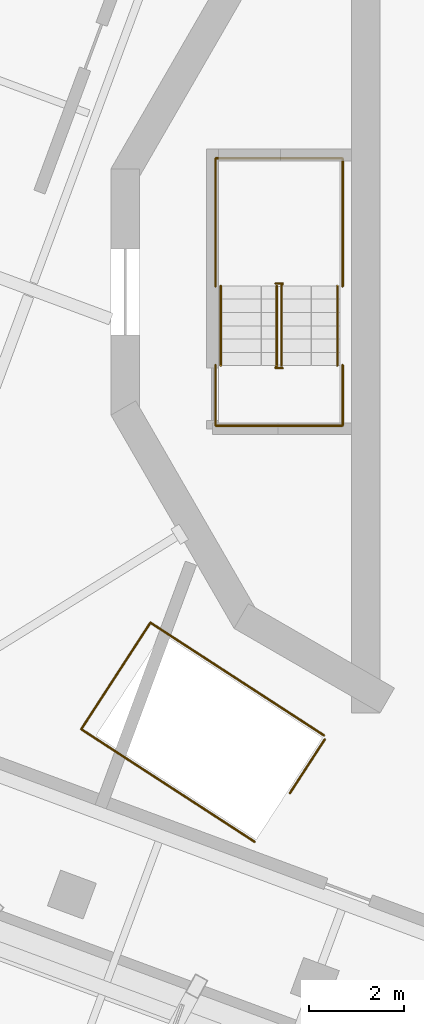
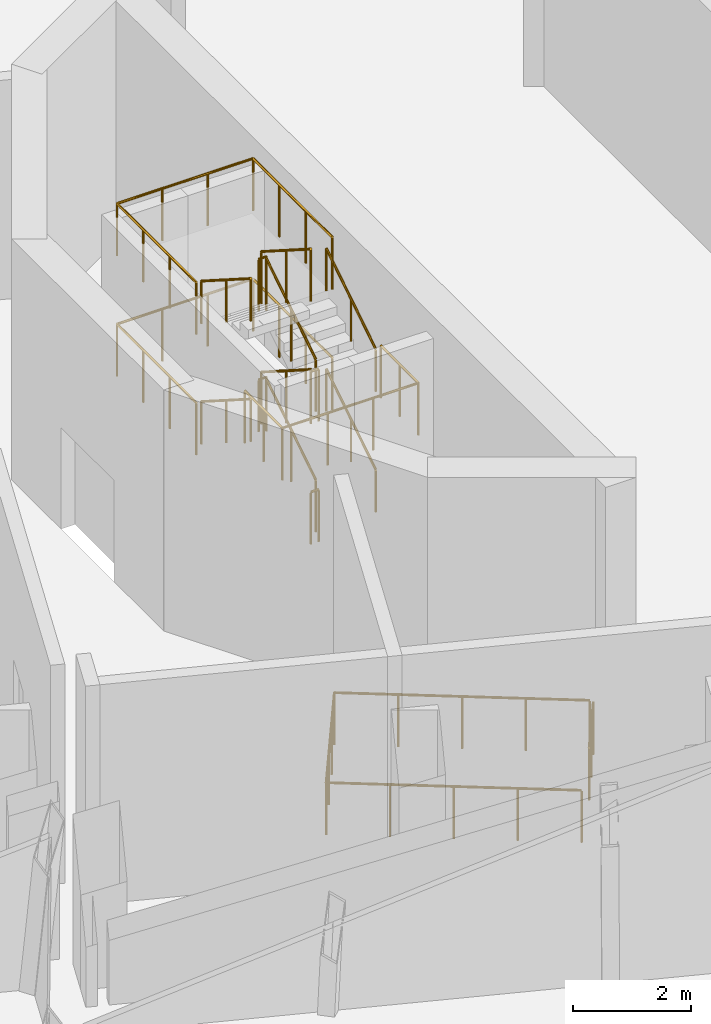
# One storey, part 10 of 12: 14 railings.
"""IFC4 building model written with IfcOpenShell, lengths in metres."""

from ifc_helpers import new_model, si_unit, direction, frame, origin, origin_2d, place, context, subcontext, project, spatial, circle, extrude, material, type_object, element, save


model = new_model("IFC4")

# Units and contexts
model_context = context("Model", 3, precision=1e-05, world=origin(), true_north=direction((0.0, 1.0)))
body_context = subcontext(model_context, "Body", "Model", "MODEL_VIEW")
ifc_project = project(units=[si_unit("LENGTHUNIT", "METRE"), si_unit("AREAUNIT", "SQUARE_METRE"), si_unit("VOLUMEUNIT", "CUBIC_METRE"), si_unit("PLANEANGLEUNIT", "RADIAN"), si_unit("MASSUNIT", "GRAM", prefix="KILO")], contexts=[model_context])

# Site, building, storey
site_placement = place(None, origin())
site = spatial("IfcSite", under=ifc_project, at=site_placement, CompositionType="ELEMENT")
building_placement = place(site_placement, origin())
building = spatial("IfcBuilding", under=site, at=building_placement, Name="Cantera Rosa Tower", CompositionType="ELEMENT")
storey_placement = place(building_placement, frame((0.0, 0.0, 345.699951171875)))
storey = spatial("IfcBuildingStorey", under=building, at=storey_placement, Name="L78", CompositionType="ELEMENT", Elevation=345.699951171875)

# Railings
ifc_material_1 = material(Name="Steel S355J2 (EN 10025-2)", Category="steel")
railing_type_1 = type_object("IfcRailingType", Name="STAIR GUARD 1100", PredefinedType="GUARDRAIL", material=ifc_material_1)
railing_1_placement = place(storey_placement, frame((-5.163818359375, -9.402099609375, 0.0)))
element("IfcRailing", 1, at=railing_1_placement, inside=storey, type_object=railing_type_1, Name="L78 ST-64 top well guard 1", PredefinedType="GUARDRAIL", context=body_context, shape_type="SweptSolid", body=[
    extrude(circle(Radius=0.02392578125, at=origin_2d()), frame((0.0, 0.0, 1.076171875), z_axis=(-0.544517882672, -0.838749232757, 0.0), x_axis=(0.838749232757, -0.544517882672, 0.0)), (0.0, 0.0, 1.0), 1.35009765625),
    extrude(circle(Radius=0.02099609375, at=origin_2d()), origin(), (0.0, 0.0, 1.0), 1.052001953125),
    extrude(circle(Radius=0.02099609375, at=origin_2d()), frame((-0.36767578125, -0.566162109375, 0.0)), (0.0, 0.0, 1.0), 1.052001953125),
    extrude(circle(Radius=0.02099609375, at=origin_2d()), frame((-0.735107421875, -1.13232421875, 0.0)), (0.0, 0.0, 1.0), 1.052001953125),
])
railing_2_placement = place(storey_placement, frame((-5.18310546875, -9.318115234375, 0.0)))
element("IfcRailing", 2, at=railing_2_placement, inside=storey, type_object=railing_type_1, Name="L78 ST-64 top well guard 2", PredefinedType="GUARDRAIL", context=body_context, shape_type="SweptSolid", body=[
    extrude(circle(Radius=0.02392578125, at=origin_2d()), frame((0.0, 0.0, 1.076171875), z_axis=(-0.838659072691, 0.544656735746, 0.0), x_axis=(-0.544656735746, -0.838659072691, 0.0)), (0.0, 0.0, 1.0), 4.347900390625),
    extrude(circle(Radius=0.02392578125, at=origin_2d()), frame((-3.646484375, 2.3681640625, 1.076171875), z_axis=(-0.544615466587, -0.838685872991, 0.0), x_axis=(0.838685872991, -0.544615466587, 0.0)), (0.0, 0.0, 1.0), 2.669921875),
    extrude(circle(Radius=0.02392578125, at=origin_2d()), frame((-5.1005859375, 0.12890625, 1.076171875), z_axis=(0.838659072691, -0.544656735746, 0.0), x_axis=(0.544656735746, 0.838659072691, 0.0)), (0.0, 0.0, 1.0), 4.347900390625),
    extrude(circle(Radius=0.02099609375, at=origin_2d()), origin(), (0.0, 0.0, 1.0), 1.052001953125),
    extrude(circle(Radius=0.02099609375, at=origin_2d()), frame((-0.91162109375, 0.592041015625, 0.0)), (0.0, 0.0, 1.0), 1.052001953125),
    extrude(circle(Radius=0.02099609375, at=origin_2d()), frame((-1.8232421875, 1.18408203125, 0.0)), (0.0, 0.0, 1.0), 1.052001953125),
    extrude(circle(Radius=0.02099609375, at=origin_2d()), frame((-2.73486328125, 1.776123046875, 0.0)), (0.0, 0.0, 1.0), 1.052001953125),
    extrude(circle(Radius=0.02099609375, at=origin_2d()), frame((-3.646484375, 2.3681640625, 0.0)), (0.0, 0.0, 1.0), 1.052001953125),
    extrude(circle(Radius=0.02099609375, at=origin_2d()), frame((-4.131103515625, 1.621826171875, 0.0)), (0.0, 0.0, 1.0), 1.052001953125),
    extrude(circle(Radius=0.02099609375, at=origin_2d()), frame((-4.615966796875, 0.875244140625, 0.0)), (0.0, 0.0, 1.0), 1.052001953125),
    extrude(circle(Radius=0.02099609375, at=origin_2d()), frame((-5.1005859375, 0.12890625, 0.0)), (0.0, 0.0, 1.0), 1.052001953125),
    extrude(circle(Radius=0.02099609375, at=origin_2d()), frame((-4.18896484375, -0.463134765625, 0.0)), (0.0, 0.0, 1.0), 1.052001953125),
    extrude(circle(Radius=0.02099609375, at=origin_2d()), frame((-3.27734375, -1.05517578125, 0.0)), (0.0, 0.0, 1.0), 1.052001953125),
    extrude(circle(Radius=0.02099609375, at=origin_2d()), frame((-2.36572265625, -1.647216796875, 0.0)), (0.0, 0.0, 1.0), 1.052001953125),
    extrude(circle(Radius=0.02099609375, at=origin_2d()), frame((-1.4541015625, -2.2392578125, 0.0)), (0.0, 0.0, 1.0), 1.052001953125),
])
railing_3_placement = place(storey_placement, frame((-6.075927734375, -1.550048828125, 0.1787109375)))
element("IfcRailing", 3, at=railing_3_placement, inside=storey, type_object=railing_type_1, Name="L78 ST-71 stair guard 1", PredefinedType="GUARDRAIL", context=body_context, shape_type="SweptSolid", body=[
    extrude(circle(Radius=0.02392578125, at=origin_2d()), frame((0.0, 0.0, 1.076171875), z_axis=(0.0, 0.843151513386, 0.53767604138), x_axis=(-1.0, 0.0, 0.0)), (0.0, 0.0, 1.0), 1.992431640625),
    extrude(circle(Radius=0.02392578125, at=origin_2d()), frame((0.0, 1.679931640625, 2.1474609375), z_axis=(0.459305035911, 0.888278607187, 0.0), x_axis=(-0.888278607187, 0.459305035911, 0.0)), (0.0, 0.0, 1.0), 0.056396484375),
    extrude(circle(Radius=0.02392578125, at=origin_2d()), frame((0.02587890625, 1.72998046875, 2.1474609375), z_axis=(-1.0, 0.0, 0.0), x_axis=(0.0, -1.0, 0.0)), (0.0, 0.0, 1.0), 0.14990234375),
    extrude(circle(Radius=0.02099609375, at=origin_2d()), origin(), (0.0, 0.0, 1.0), 1.052001953125),
    extrude(circle(Radius=0.02099609375, at=origin_2d()), frame((0.0, 0.83984375, 0.53564453125)), (0.0, 0.0, 1.0), 1.052001953125),
    extrude(circle(Radius=0.02099609375, at=origin_2d()), frame((0.0, 1.679931640625, 1.0712890625)), (0.0, 0.0, 1.0), 1.052001953125),
    extrude(circle(Radius=0.02099609375, at=origin_2d()), frame((0.02587890625, 1.72998046875, 1.0712890625)), (0.0, 0.0, 1.0), 1.052001953125),
    extrude(circle(Radius=0.02099609375, at=origin_2d()), frame((-0.1240234375, 1.72998046875, 1.0712890625)), (0.0, 0.0, 1.0), 1.052001953125),
])
railing_4_placement = place(storey_placement, frame((-6.174072265625, 0.1298828125, 1.4287109375)))
element("IfcRailing", 4, at=railing_4_placement, inside=storey, type_object=railing_type_1, Name="L78 ST-71 stair guard 2", PredefinedType="GUARDRAIL", context=body_context, shape_type="SweptSolid", body=[
    extrude(circle(Radius=0.02392578125, at=origin_2d()), frame((0.0, 0.0, 1.076171875), z_axis=(0.0, -0.843151513386, 0.53767604138), x_axis=(1.0, 0.0, 0.0)), (0.0, 0.0, 1.0), 1.992431640625),
    extrude(circle(Radius=0.02392578125, at=origin_2d()), frame((0.0, -1.679931640625, 2.1474609375), z_axis=(-0.459305035911, -0.888278607187, 0.0), x_axis=(0.888278607187, -0.459305035911, 0.0)), (0.0, 0.0, 1.0), 0.056396484375),
    extrude(circle(Radius=0.02392578125, at=origin_2d()), frame((-0.02587890625, -1.72998046875, 2.1474609375), z_axis=(1.0, 0.0, 0.0), x_axis=(0.0, 1.0, 0.0)), (0.0, 0.0, 1.0), 0.14990234375),
    extrude(circle(Radius=0.02099609375, at=origin_2d()), origin(), (0.0, 0.0, 1.0), 1.052001953125),
    extrude(circle(Radius=0.02099609375, at=origin_2d()), frame((0.0, -0.83984375, 0.53564453125)), (0.0, 0.0, 1.0), 1.052001953125),
    extrude(circle(Radius=0.02099609375, at=origin_2d()), frame((0.0, -1.679931640625, 1.0712890625)), (0.0, 0.0, 1.0), 1.052001953125),
    extrude(circle(Radius=0.02099609375, at=origin_2d()), frame((-0.02587890625, -1.72998046875, 1.0712890625)), (0.0, 0.0, 1.0), 1.052001953125),
    extrude(circle(Radius=0.02099609375, at=origin_2d()), frame((0.1240234375, -1.72998046875, 1.0712890625)), (0.0, 0.0, 1.0), 1.052001953125),
])
railing_5_placement = place(storey_placement, frame((-6.075927734375, -1.550048828125, 2.6787109375)))
element("IfcRailing", 5, at=railing_5_placement, inside=storey, type_object=railing_type_1, Name="L78 ST-71 stair guard 3", PredefinedType="GUARDRAIL", context=body_context, shape_type="SweptSolid", body=[
    extrude(circle(Radius=0.02392578125, at=origin_2d()), frame((0.0, 0.0, 1.076171875), z_axis=(0.0, 0.843151513386, 0.53767604138), x_axis=(-1.0, 0.0, 0.0)), (0.0, 0.0, 1.0), 1.992431640625),
    extrude(circle(Radius=0.02392578125, at=origin_2d()), frame((0.0, 1.679931640625, 2.1474609375), z_axis=(0.459305035911, 0.888278607187, 0.0), x_axis=(-0.888278607187, 0.459305035911, 0.0)), (0.0, 0.0, 1.0), 0.056396484375),
    extrude(circle(Radius=0.02392578125, at=origin_2d()), frame((0.02587890625, 1.72998046875, 2.1474609375), z_axis=(-1.0, 0.0, 0.0), x_axis=(0.0, -1.0, 0.0)), (0.0, 0.0, 1.0), 0.14990234375),
    extrude(circle(Radius=0.02099609375, at=origin_2d()), origin(), (0.0, 0.0, 1.0), 1.052001953125),
    extrude(circle(Radius=0.02099609375, at=origin_2d()), frame((0.0, 0.83984375, 0.53564453125)), (0.0, 0.0, 1.0), 1.052001953125),
    extrude(circle(Radius=0.02099609375, at=origin_2d()), frame((0.0, 1.679931640625, 1.0712890625)), (0.0, 0.0, 1.0), 1.052001953125),
    extrude(circle(Radius=0.02099609375, at=origin_2d()), frame((0.02587890625, 1.72998046875, 1.0712890625)), (0.0, 0.0, 1.0), 1.052001953125),
    extrude(circle(Radius=0.02099609375, at=origin_2d()), frame((-0.1240234375, 1.72998046875, 1.0712890625)), (0.0, 0.0, 1.0), 1.052001953125),
])
railing_6_placement = place(storey_placement, frame((-6.174072265625, 0.1298828125, 3.9287109375)))
element("IfcRailing", 6, at=railing_6_placement, inside=storey, type_object=railing_type_1, Name="L78 ST-71 stair guard 4", PredefinedType="GUARDRAIL", context=body_context, shape_type="SweptSolid", body=[
    extrude(circle(Radius=0.02392578125, at=origin_2d()), frame((0.0, 0.0, 1.076171875), z_axis=(0.0, -0.843151513386, 0.53767604138), x_axis=(1.0, 0.0, 0.0)), (0.0, 0.0, 1.0), 1.992431640625),
    extrude(circle(Radius=0.02099609375, at=origin_2d()), origin(), (0.0, 0.0, 1.0), 1.052001953125),
    extrude(circle(Radius=0.02099609375, at=origin_2d()), frame((0.0, -0.83984375, 0.53564453125)), (0.0, 0.0, 1.0), 1.052001953125),
    extrude(circle(Radius=0.02099609375, at=origin_2d()), frame((0.0, -1.679931640625, 1.0712890625)), (0.0, 0.0, 1.0), 1.052001953125),
])
railing_7_placement = place(storey_placement, frame((-6.050048828125, -1.60009765625, 0.0)))
element("IfcRailing", 7, at=railing_7_placement, inside=storey, type_object=railing_type_1, Name="L78 ST-71 stair guard 5", PredefinedType="GUARDRAIL", context=body_context, shape_type="SweptSolid", body=[
    extrude(circle(Radius=0.02392578125, at=origin_2d()), frame((0.0, 0.0, 1.076171875), z_axis=(-1.0, 0.0, 0.0), x_axis=(0.0, -1.0, 0.0)), (0.0, 0.0, 1.0), 0.14990234375),
    extrude(circle(Radius=0.02099609375, at=origin_2d()), origin(), (0.0, 0.0, 1.0), 1.052001953125),
    extrude(circle(Radius=0.02099609375, at=origin_2d()), frame((-0.14990234375, 0.0, 0.0)), (0.0, 0.0, 1.0), 1.052001953125),
])
railing_8_placement = place(storey_placement, frame((-4.7900390625, 0.117919921875, 1.25)))
element("IfcRailing", 8, at=railing_8_placement, inside=storey, type_object=railing_type_1, Name="L78 ST-71 stair guard 6", PredefinedType="GUARDRAIL", context=body_context, shape_type="SweptSolid", body=[
    extrude(circle(Radius=0.02392578125, at=origin_2d()), frame((0.0, 0.0, 1.076171875), z_axis=(0.0, 1.0, 0.0), x_axis=(-1.0, 0.0, 0.0)), (0.0, 0.0, 1.0), 2.692138671875),
    extrude(circle(Radius=0.02392578125, at=origin_2d()), frame((0.0, 2.692138671875, 1.076171875), z_axis=(-1.0, 0.0, 0.0), x_axis=(0.0, -1.0, 0.0)), (0.0, 0.0, 1.0), 2.669921875),
    extrude(circle(Radius=0.02392578125, at=origin_2d()), frame((-2.669921875, 2.692138671875, 1.076171875), z_axis=(0.0, -1.0, 0.0), x_axis=(1.0, 0.0, 0.0)), (0.0, 0.0, 1.0), 2.692138671875),
    extrude(circle(Radius=0.02099609375, at=origin_2d()), origin(), (0.0, 0.0, 1.0), 1.052001953125),
    extrude(circle(Radius=0.02099609375, at=origin_2d()), frame((0.0, 0.8974609375, 0.0)), (0.0, 0.0, 1.0), 1.052001953125),
    extrude(circle(Radius=0.02099609375, at=origin_2d()), frame((0.0, 1.794677734375, 0.0)), (0.0, 0.0, 1.0), 1.052001953125),
    extrude(circle(Radius=0.02099609375, at=origin_2d()), frame((0.0, 2.692138671875, 0.0)), (0.0, 0.0, 1.0), 1.052001953125),
    extrude(circle(Radius=0.02099609375, at=origin_2d()), frame((-0.889892578125, 2.692138671875, 0.0)), (0.0, 0.0, 1.0), 1.052001953125),
    extrude(circle(Radius=0.02099609375, at=origin_2d()), frame((-1.780029296875, 2.692138671875, 0.0)), (0.0, 0.0, 1.0), 1.052001953125),
    extrude(circle(Radius=0.02099609375, at=origin_2d()), frame((-2.669921875, 2.692138671875, 0.0)), (0.0, 0.0, 1.0), 1.052001953125),
    extrude(circle(Radius=0.02099609375, at=origin_2d()), frame((-2.669921875, 1.794677734375, 0.0)), (0.0, 0.0, 1.0), 1.052001953125),
    extrude(circle(Radius=0.02099609375, at=origin_2d()), frame((-2.669921875, 0.8974609375, 0.0)), (0.0, 0.0, 1.0), 1.052001953125),
    extrude(circle(Radius=0.02099609375, at=origin_2d()), frame((-2.669921875, 0.0, 0.0)), (0.0, 0.0, 1.0), 1.052001953125),
])
railing_9_placement = place(storey_placement, frame((-4.7900390625, -1.5380859375, 2.5)))
element("IfcRailing", 9, at=railing_9_placement, inside=storey, type_object=railing_type_1, Name="L78 ST-71 stair guard 7", PredefinedType="GUARDRAIL", context=body_context, shape_type="SweptSolid", body=[
    extrude(circle(Radius=0.02392578125, at=origin_2d()), frame((0.0, 0.0, 1.076171875), z_axis=(0.0, -1.0, 0.0), x_axis=(1.0, 0.0, 0.0)), (0.0, 0.0, 1.0), 1.27197265625),
    extrude(circle(Radius=0.02392578125, at=origin_2d()), frame((0.0, -1.27197265625, 1.076171875), z_axis=(-1.0, 0.0, 0.0), x_axis=(0.0, -1.0, 0.0)), (0.0, 0.0, 1.0), 2.669921875),
    extrude(circle(Radius=0.02392578125, at=origin_2d()), frame((-2.669921875, -1.27197265625, 1.076171875), z_axis=(0.0, 1.0, 0.0), x_axis=(-1.0, 0.0, 0.0)), (0.0, 0.0, 1.0), 1.27197265625),
    extrude(circle(Radius=0.02099609375, at=origin_2d()), origin(), (0.0, 0.0, 1.0), 1.052001953125),
    extrude(circle(Radius=0.02099609375, at=origin_2d()), frame((0.0, -0.635986328125, 0.0)), (0.0, 0.0, 1.0), 1.052001953125),
    extrude(circle(Radius=0.02099609375, at=origin_2d()), frame((0.0, -1.27197265625, 0.0)), (0.0, 0.0, 1.0), 1.052001953125),
    extrude(circle(Radius=0.02099609375, at=origin_2d()), frame((-0.889892578125, -1.27197265625, 0.0)), (0.0, 0.0, 1.0), 1.052001953125),
    extrude(circle(Radius=0.02099609375, at=origin_2d()), frame((-1.780029296875, -1.27197265625, 0.0)), (0.0, 0.0, 1.0), 1.052001953125),
    extrude(circle(Radius=0.02099609375, at=origin_2d()), frame((-2.669921875, -1.27197265625, 0.0)), (0.0, 0.0, 1.0), 1.052001953125),
    extrude(circle(Radius=0.02099609375, at=origin_2d()), frame((-2.669921875, -0.635986328125, 0.0)), (0.0, 0.0, 1.0), 1.052001953125),
    extrude(circle(Radius=0.02099609375, at=origin_2d()), frame((-2.669921875, 0.0, 0.0)), (0.0, 0.0, 1.0), 1.052001953125),
])
railing_10_placement = place(storey_placement, frame((-4.7900390625, 0.117919921875, 3.75)))
element("IfcRailing", 10, at=railing_10_placement, inside=storey, type_object=railing_type_1, Name="L78 ST-71 stair guard 8", PredefinedType="GUARDRAIL", context=body_context, shape_type="SweptSolid", body=[
    extrude(circle(Radius=0.02392578125, at=origin_2d()), frame((0.0, 0.0, 1.076171875), z_axis=(0.0, 1.0, 0.0), x_axis=(-1.0, 0.0, 0.0)), (0.0, 0.0, 1.0), 2.692138671875),
    extrude(circle(Radius=0.02392578125, at=origin_2d()), frame((0.0, 2.692138671875, 1.076171875), z_axis=(-1.0, 0.0, 0.0), x_axis=(0.0, -1.0, 0.0)), (0.0, 0.0, 1.0), 2.669921875),
    extrude(circle(Radius=0.02392578125, at=origin_2d()), frame((-2.669921875, 2.692138671875, 1.076171875), z_axis=(0.0, -1.0, 0.0), x_axis=(1.0, 0.0, 0.0)), (0.0, 0.0, 1.0), 2.692138671875),
    extrude(circle(Radius=0.02099609375, at=origin_2d()), origin(), (0.0, 0.0, 1.0), 1.052001953125),
    extrude(circle(Radius=0.02099609375, at=origin_2d()), frame((0.0, 0.8974609375, 0.0)), (0.0, 0.0, 1.0), 1.052001953125),
    extrude(circle(Radius=0.02099609375, at=origin_2d()), frame((0.0, 1.794677734375, 0.0)), (0.0, 0.0, 1.0), 1.052001953125),
    extrude(circle(Radius=0.02099609375, at=origin_2d()), frame((0.0, 2.692138671875, 0.0)), (0.0, 0.0, 1.0), 1.052001953125),
    extrude(circle(Radius=0.02099609375, at=origin_2d()), frame((-0.889892578125, 2.692138671875, 0.0)), (0.0, 0.0, 1.0), 1.052001953125),
    extrude(circle(Radius=0.02099609375, at=origin_2d()), frame((-1.780029296875, 2.692138671875, 0.0)), (0.0, 0.0, 1.0), 1.052001953125),
    extrude(circle(Radius=0.02099609375, at=origin_2d()), frame((-2.669921875, 2.692138671875, 0.0)), (0.0, 0.0, 1.0), 1.052001953125),
    extrude(circle(Radius=0.02099609375, at=origin_2d()), frame((-2.669921875, 1.794677734375, 0.0)), (0.0, 0.0, 1.0), 1.052001953125),
    extrude(circle(Radius=0.02099609375, at=origin_2d()), frame((-2.669921875, 0.8974609375, 0.0)), (0.0, 0.0, 1.0), 1.052001953125),
    extrude(circle(Radius=0.02099609375, at=origin_2d()), frame((-2.669921875, 0.0, 0.0)), (0.0, 0.0, 1.0), 1.052001953125),
])
ifc_material_2 = material(Name="Steel S355J2 (EN 10025-2)", Category="steel")
railing_type_2 = type_object("IfcRailingType", Name="STAIR HANDRAIL 900", PredefinedType="HANDRAIL", material=ifc_material_2)
railing_11_placement = place(storey_placement, frame((-4.89990234375, -1.550048828125, 0.1787109375)))
element("IfcRailing", 11, at=railing_11_placement, inside=storey, type_object=railing_type_2, Name="L78 ST-71 stair handrail 1", PredefinedType="HANDRAIL", context=body_context, shape_type="SweptSolid", body=[
    extrude(circle(Radius=0.02392578125, at=origin_2d()), frame((0.0, 0.0, 0.8759765625), z_axis=(0.0, 0.843151513386, 0.53767604138), x_axis=(-1.0, 0.0, 0.0)), (0.0, 0.0, 1.0), 1.992431640625),
    extrude(circle(Radius=0.02099609375, at=origin_2d()), origin(), (0.0, 0.0, 1.0), 0.851806640625),
    extrude(circle(Radius=0.02099609375, at=origin_2d()), frame((0.0, 0.83984375, 0.53564453125)), (0.0, 0.0, 1.0), 0.851806640625),
    extrude(circle(Radius=0.02099609375, at=origin_2d()), frame((0.0, 1.679931640625, 1.0712890625)), (0.0, 0.0, 1.0), 0.851806640625),
])
railing_12_placement = place(storey_placement, frame((-7.35009765625, 0.1298828125, 1.4287109375)))
element("IfcRailing", 12, at=railing_12_placement, inside=storey, type_object=railing_type_2, Name="L78 ST-71 stair handrail 2", PredefinedType="HANDRAIL", context=body_context, shape_type="SweptSolid", body=[
    extrude(circle(Radius=0.02392578125, at=origin_2d()), frame((0.0, 0.0, 0.8759765625), z_axis=(0.0, -0.843151513386, 0.53767604138), x_axis=(1.0, 0.0, 0.0)), (0.0, 0.0, 1.0), 1.992431640625),
    extrude(circle(Radius=0.02099609375, at=origin_2d()), origin(), (0.0, 0.0, 1.0), 0.851806640625),
    extrude(circle(Radius=0.02099609375, at=origin_2d()), frame((0.0, -0.83984375, 0.53564453125)), (0.0, 0.0, 1.0), 0.851806640625),
    extrude(circle(Radius=0.02099609375, at=origin_2d()), frame((0.0, -1.679931640625, 1.0712890625)), (0.0, 0.0, 1.0), 0.851806640625),
])
railing_13_placement = place(storey_placement, frame((-4.89990234375, -1.550048828125, 2.6787109375)))
element("IfcRailing", 13, at=railing_13_placement, inside=storey, type_object=railing_type_2, Name="L78 ST-71 stair handrail 3", PredefinedType="HANDRAIL", context=body_context, shape_type="SweptSolid", body=[
    extrude(circle(Radius=0.02392578125, at=origin_2d()), frame((0.0, 0.0, 0.8759765625), z_axis=(0.0, 0.843151513386, 0.53767604138), x_axis=(-1.0, 0.0, 0.0)), (0.0, 0.0, 1.0), 1.992431640625),
    extrude(circle(Radius=0.02099609375, at=origin_2d()), origin(), (0.0, 0.0, 1.0), 0.851806640625),
    extrude(circle(Radius=0.02099609375, at=origin_2d()), frame((0.0, 0.83984375, 0.53564453125)), (0.0, 0.0, 1.0), 0.851806640625),
    extrude(circle(Radius=0.02099609375, at=origin_2d()), frame((0.0, 1.679931640625, 1.0712890625)), (0.0, 0.0, 1.0), 0.851806640625),
])
railing_14_placement = place(storey_placement, frame((-7.35009765625, 0.1298828125, 3.9287109375)))
element("IfcRailing", 14, at=railing_14_placement, inside=storey, type_object=railing_type_2, Name="L78 ST-71 stair handrail 4", PredefinedType="HANDRAIL", context=body_context, shape_type="SweptSolid", body=[
    extrude(circle(Radius=0.02392578125, at=origin_2d()), frame((0.0, 0.0, 0.8759765625), z_axis=(0.0, -0.843151513386, 0.53767604138), x_axis=(1.0, 0.0, 0.0)), (0.0, 0.0, 1.0), 1.992431640625),
    extrude(circle(Radius=0.02099609375, at=origin_2d()), origin(), (0.0, 0.0, 1.0), 0.851806640625),
    extrude(circle(Radius=0.02099609375, at=origin_2d()), frame((0.0, -0.83984375, 0.53564453125)), (0.0, 0.0, 1.0), 0.851806640625),
    extrude(circle(Radius=0.02099609375, at=origin_2d()), frame((0.0, -1.679931640625, 1.0712890625)), (0.0, 0.0, 1.0), 0.851806640625),
])

save(model, "model.ifc")
